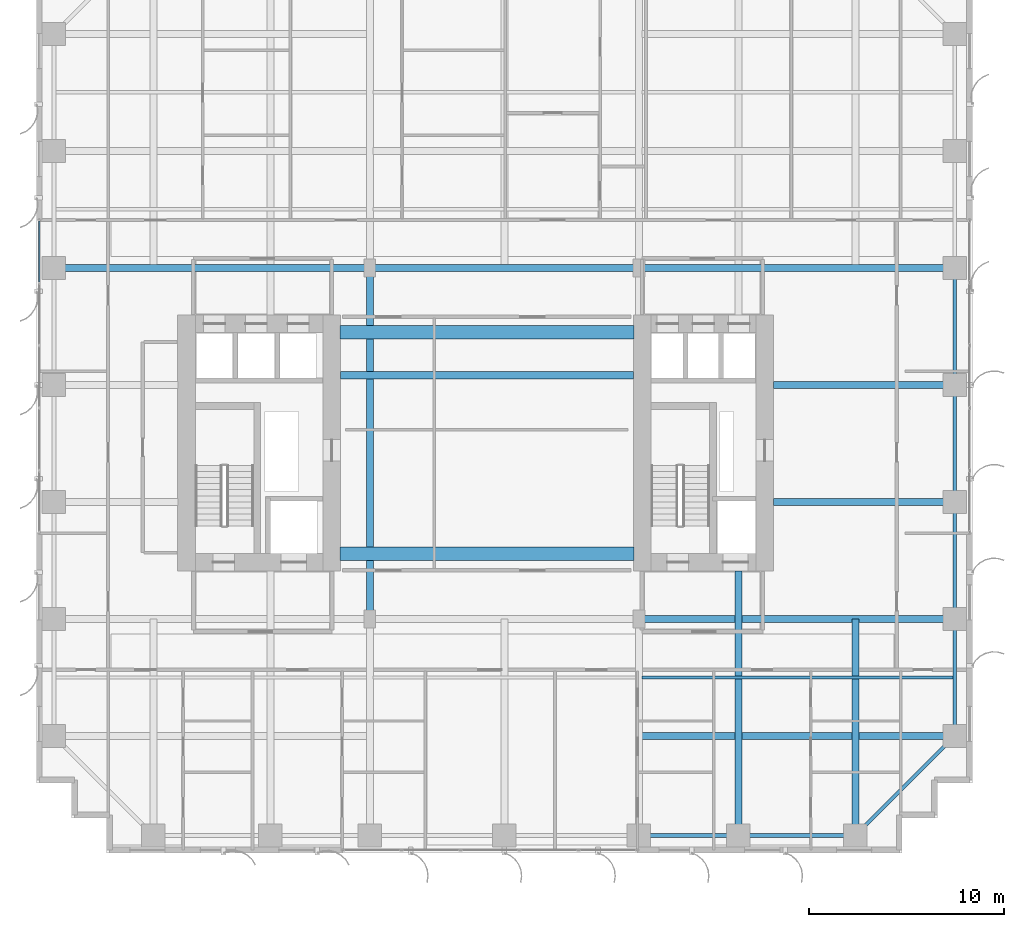
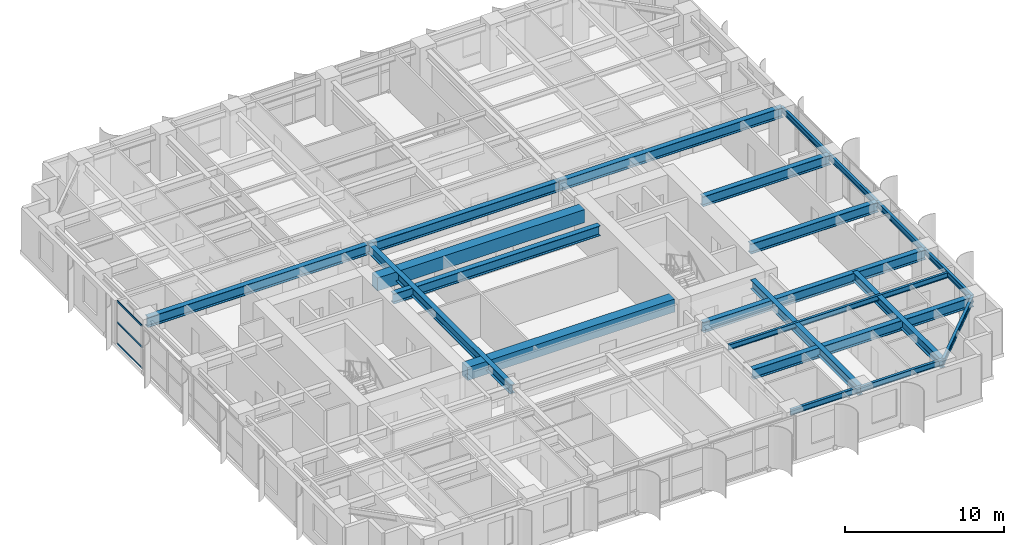
# One storey, part 6 of 23: 21 beams, 3 members, 1 element without a shape of its own.
"""IFC4 building model written with IfcOpenShell, lengths in metres."""

from ifc_helpers import new_model, si_unit, direction, frame, origin, origin_2d, place, context, subcontext, project, spatial, rectangle, hollow_rectangle, i_section, extrude, source, transform, mapped, material, layer, layer_set, material_profile, profile_set, type_object, element, aggregate, save


model = new_model("IFC4")

# Units and contexts
model_context = context("Model", 3, precision=1e-05, world=origin(), true_north=direction((0.0, 1.0)))
body_context = subcontext(model_context, "Body", "Model", "MODEL_VIEW")
ifc_project = project(units=[si_unit("LENGTHUNIT", "METRE"), si_unit("AREAUNIT", "SQUARE_METRE"), si_unit("VOLUMEUNIT", "CUBIC_METRE"), si_unit("PLANEANGLEUNIT", "RADIAN"), si_unit("MASSUNIT", "GRAM", prefix="KILO")], contexts=[model_context])

# Site, building, storey
site_placement = place(None, origin())
site = spatial("IfcSite", under=ifc_project, at=site_placement, CompositionType="ELEMENT")
building_placement = place(site_placement, origin())
building = spatial("IfcBuilding", under=site, at=building_placement, Name="Khoralis Quay Care Tower", CompositionType="ELEMENT")
storey_placement = place(building_placement, frame((0.0, 0.0, 36.89990234375)))
storey = spatial("IfcBuildingStorey", under=building, at=storey_placement, Name="L09", CompositionType="ELEMENT", Elevation=36.89990234375)

# Beams
ifc_material_1 = material(Name="Concrete C80/95", Category="concrete")
ifc_material_profile_1 = material_profile(ifc_material_1, rectangle(XDim=0.699951171875, YDim=1.0, at=origin_2d()), Name="Concrete C80/95")
ifc_profile_set_1 = profile_set([ifc_material_profile_1], Name="Concrete C80/95")
beam_type_1 = type_object("IfcBeamType", Name="CB-RC700X1000", PredefinedType="LINTEL", material=ifc_profile_set_1)
shared_shape_1 = source(origin(), body_context, "Body", "SweptSolid", [
    extrude(rectangle(XDim=0.699951171875, YDim=1.0, at=origin_2d()), origin(), (0.0, 0.0, 1.0), 15.079833984375),
])
for number, where, z_axis, x_axis, name in (
    (1, (15.570068359375, 15.35009765625, 2.820068359375), (1.0, 0.0, 0.0), (0.0, 1.0, 0.0), "L09 South Core Coupling Lintel"),
    (2, (15.570068359375, 26.699951171875, 2.820068359375), (1.0, 0.0, 0.0), (0.0, 1.0, 0.0), "L09 North Core Coupling Lintel"),
):
    element("IfcBeam", number, at=place(storey_placement, frame(where, z_axis=z_axis, x_axis=x_axis)), inside=storey, type_object=beam_type_1, Name=name, PredefinedType="LINTEL", context=body_context, shape_type="MappedRepresentation", body=[
        mapped(shared_shape_1, transform((0.0, 0.0, 0.0), scale=1.0)),
    ])
ifc_material_2 = material(Name="Steel S355", Category="steel")
ifc_material_profile_2 = material_profile(ifc_material_2, i_section(OverallWidth=0.18994140625, OverallDepth=0.449951171875, WebThickness=0.009521484375, FlangeThickness=0.0146484375, FilletRadius=0.02099609375, at=origin_2d()), Name="Steel S355")
ifc_profile_set_2 = profile_set([ifc_material_profile_2], Name="Steel S355")
beam_type_2 = type_object("IfcBeamType", Name="BM-IPE450", PredefinedType="SPANDREL", material=ifc_profile_set_2)
shared_shape_2 = source(origin(), body_context, "Body", "SweptSolid", [
    extrude(i_section(OverallWidth=0.18994140625, OverallDepth=0.449951171875, WebThickness=0.009521484375, FlangeThickness=0.0146484375, FilletRadius=0.02099609375, at=origin_2d()), origin(), (0.0, 0.0, 1.0), 6.0),
])
for number, where, z_axis, x_axis, name in (
    (3, (36.0, 0.89990234375, 3.09521484375), (1.0, 0.0, 0.0), (0.0, 1.0, 0.0), "BM-TSP-L09-06"),
    (4, (47.10009765625, 6.0, 3.09521484375), (0.0, 1.0, 0.0), (-1.0, 0.0, 0.0), "BM-TSP-L09-19"),
    (5, (47.10009765625, 12.0, 3.09521484375), (0.0, 1.0, 0.0), (-1.0, 0.0, 0.0), "BM-TSP-L09-20"),
    (6, (47.10009765625, 18.0, 3.09521484375), (0.0, 1.0, 0.0), (-1.0, 0.0, 0.0), "BM-TSP-L09-21"),
    (7, (47.10009765625, 24.0, 3.09521484375), (0.0, 1.0, 0.0), (-1.0, 0.0, 0.0), "BM-TSP-L09-22"),
):
    element("IfcBeam", number, at=place(storey_placement, frame(where, z_axis=z_axis, x_axis=x_axis)), inside=storey, type_object=beam_type_2, Name=name, PredefinedType="SPANDREL", context=body_context, shape_type="MappedRepresentation", body=[
        mapped(shared_shape_2, transform((0.0, 0.0, 0.0), scale=1.0)),
    ])
shared_shape_3 = source(origin(), body_context, "Body", "SweptSolid", [
    extrude(i_section(OverallWidth=0.18994140625, OverallDepth=0.449951171875, WebThickness=0.009521484375, FlangeThickness=0.0146484375, FilletRadius=0.02099609375, at=origin_2d()), origin(), (0.0, 0.0, 1.0), 5.10009765625),
])
beam_1_placement = place(storey_placement, frame((30.89990234375, 0.89990234375, 3.09521484375), z_axis=(1.0, 0.0, 0.0), x_axis=(0.0, 1.0, 0.0)))
element("IfcBeam", 8, at=beam_1_placement, inside=storey, type_object=beam_type_2, Name="BM-TSP-L09-05", PredefinedType="SPANDREL", context=body_context, shape_type="MappedRepresentation", body=[
    mapped(shared_shape_3, transform((0.0, 0.0, 0.0), scale=1.0)),
])
shared_shape_4 = source(origin(), body_context, "Body", "SweptSolid", [
    extrude(i_section(OverallWidth=0.18994140625, OverallDepth=0.449951171875, WebThickness=0.009521484375, FlangeThickness=0.0146484375, FilletRadius=0.02099609375, at=origin_2d()), origin(), (0.0, 0.0, 1.0), 7.212646484375),
])
beam_2_placement = place(storey_placement, frame((42.0, 0.89990234375, 3.09521484375), z_axis=(0.707106781187, 0.707106781187, 0.0), x_axis=(-0.707106781187, 0.707106781187, 0.0)))
element("IfcBeam", 9, at=beam_2_placement, inside=storey, type_object=beam_type_2, Name="BM-TCR-L09-26", PredefinedType="SPANDREL", context=body_context, shape_type="MappedRepresentation", body=[
    mapped(shared_shape_4, transform((0.0, 0.0, 0.0), scale=1.0)),
])
ifc_material_profile_3 = material_profile(ifc_material_2, i_section(OverallWidth=0.381103515625, OverallDepth=0.77294921875, WebThickness=0.0166015625, FlangeThickness=0.027587890625, FilletRadius=0.02197265625, at=origin_2d()), Name="Steel S355")
ifc_profile_set_3 = profile_set([ifc_material_profile_3], Name="Steel S355")
beam_type_3 = type_object("IfcBeamType", Name="BM-W760X257", PredefinedType="BEAM", material=ifc_profile_set_3)
shared_shape_5 = source(origin(), body_context, "Body", "SweptSolid", [
    extrude(i_section(OverallWidth=0.381103515625, OverallDepth=0.77294921875, WebThickness=0.0166015625, FlangeThickness=0.027587890625, FilletRadius=0.02197265625, at=origin_2d()), origin(), (0.0, 0.0, 1.0), 16.03466796875),
])
beam_3_placement = place(storey_placement, frame((31.0654296875, 6.0, 2.93359375), z_axis=(1.0, 0.0, 0.0), x_axis=(0.0, 1.0, 0.0)))
element("IfcBeam", 10, at=beam_3_placement, inside=storey, type_object=beam_type_3, Name="BM-TGXE-L09-60", PredefinedType="BEAM", context=body_context, shape_type="MappedRepresentation", body=[
    mapped(shared_shape_5, transform((0.0, 0.0, 0.0), scale=1.0)),
])
shared_shape_6 = source(origin(), body_context, "Body", "SweptSolid", [
    extrude(i_section(OverallWidth=0.381103515625, OverallDepth=0.77294921875, WebThickness=0.0166015625, FlangeThickness=0.027587890625, FilletRadius=0.02197265625, at=origin_2d()), origin(), (0.0, 0.0, 1.0), 16.2001953125),
])
for number, where, z_axis, x_axis, name in (
    (11, (0.89990234375, 30.0, 2.93359375), (1.0, 0.0, 0.0), (0.0, 1.0, 0.0), "BM-TGXW-L09-300"),
    (12, (30.89990234375, 12.0, 2.93359375), (1.0, 0.0, 0.0), (0.0, 1.0, 0.0), "BM-TGXE-L09-120"),
    (13, (30.89990234375, 30.0, 2.93359375), (1.0, 0.0, 0.0), (0.0, 1.0, 0.0), "BM-TGXE-L09-300"),
):
    element("IfcBeam", number, at=place(storey_placement, frame(where, z_axis=z_axis, x_axis=x_axis)), inside=storey, type_object=beam_type_3, Name=name, PredefinedType="BEAM", context=body_context, shape_type="MappedRepresentation", body=[
        mapped(shared_shape_6, transform((0.0, 0.0, 0.0), scale=1.0)),
    ])
shared_shape_7 = source(origin(), body_context, "Body", "SweptSolid", [
    extrude(i_section(OverallWidth=0.381103515625, OverallDepth=0.77294921875, WebThickness=0.0166015625, FlangeThickness=0.027587890625, FilletRadius=0.02197265625, at=origin_2d()), origin(), (0.0, 0.0, 1.0), 9.302001953125),
])
for number, where, z_axis, x_axis, name in (
    (14, (37.798095703125, 18.0, 2.93359375), (1.0, 0.0, 0.0), (0.0, 1.0, 0.0), "BM-TGXE-L09-180"),
    (15, (37.798095703125, 24.0, 2.93359375), (1.0, 0.0, 0.0), (0.0, 1.0, 0.0), "BM-TGXE-L09-240"),
):
    element("IfcBeam", number, at=place(storey_placement, frame(where, z_axis=z_axis, x_axis=x_axis)), inside=storey, type_object=beam_type_3, Name=name, PredefinedType="BEAM", context=body_context, shape_type="MappedRepresentation", body=[
        mapped(shared_shape_7, transform((0.0, 0.0, 0.0), scale=1.0)),
    ])
shared_shape_8 = source(origin(), body_context, "Body", "SweptSolid", [
    extrude(i_section(OverallWidth=0.381103515625, OverallDepth=0.77294921875, WebThickness=0.0166015625, FlangeThickness=0.027587890625, FilletRadius=0.02197265625, at=origin_2d()), origin(), (0.0, 0.0, 1.0), 13.7998046875),
])
beam_4_placement = place(storey_placement, frame((17.10009765625, 30.0, 2.93359375), z_axis=(1.0, 0.0, 0.0), x_axis=(0.0, 1.0, 0.0)))
element("IfcBeam", 16, at=beam_4_placement, inside=storey, type_object=beam_type_3, Name="BM-TGCC-L09-300", PredefinedType="BEAM", context=body_context, shape_type="MappedRepresentation", body=[
    mapped(shared_shape_8, transform((0.0, 0.0, 0.0), scale=1.0)),
])
shared_shape_9 = source(origin(), body_context, "Body", "SweptSolid", [
    extrude(i_section(OverallWidth=0.381103515625, OverallDepth=0.77294921875, WebThickness=0.0166015625, FlangeThickness=0.027587890625, FilletRadius=0.02197265625, at=origin_2d()), origin(), (0.0, 0.0, 1.0), 15.024169921875),
])
beam_5_placement = place(storey_placement, frame((15.597900390625, 24.5, 2.93359375), z_axis=(1.0, 0.0, 0.0), x_axis=(0.0, 1.0, 0.0)))
element("IfcBeam", 17, at=beam_5_placement, inside=storey, type_object=beam_type_3, Name="BM-TGCC-L09-245", PredefinedType="BEAM", context=body_context, shape_type="MappedRepresentation", body=[
    mapped(shared_shape_9, transform((0.0, 0.0, 0.0), scale=1.0)),
])
ifc_material_profile_4 = material_profile(ifc_material_2, i_section(OverallWidth=0.35498046875, OverallDepth=0.695068359375, WebThickness=0.015380859375, FlangeThickness=0.02490234375, FilletRadius=0.02001953125, at=origin_2d()), Name="Steel S355")
ifc_profile_set_4 = profile_set([ifc_material_profile_4], Name="Steel S355")
beam_type_4 = type_object("IfcBeamType", Name="BM-W690X217", PredefinedType="BEAM", material=ifc_profile_set_4)
shared_shape_10 = source(origin(), body_context, "Body", "SweptSolid", [
    extrude(i_section(OverallWidth=0.35498046875, OverallDepth=0.695068359375, WebThickness=0.015380859375, FlangeThickness=0.02490234375, FilletRadius=0.02001953125, at=origin_2d()), origin(), (0.0, 0.0, 1.0), 11.10009765625),
])
beam_6_placement = place(storey_placement, frame((42.0, 0.89990234375, 2.97265625), z_axis=(0.0, 1.0, 0.0), x_axis=(-1.0, 0.0, 0.0)))
element("IfcBeam", 18, at=beam_6_placement, inside=storey, type_object=beam_type_4, Name="BM-TGYS-L09-420", PredefinedType="BEAM", context=body_context, shape_type="MappedRepresentation", body=[
    mapped(shared_shape_10, transform((0.0, 0.0, 0.0), scale=1.0)),
])
shared_shape_11 = source(origin(), body_context, "Body", "SweptSolid", [
    extrude(i_section(OverallWidth=0.35498046875, OverallDepth=0.695068359375, WebThickness=0.015380859375, FlangeThickness=0.02490234375, FilletRadius=0.02001953125, at=origin_2d()), origin(), (0.0, 0.0, 1.0), 13.552001953125),
])
beam_7_placement = place(storey_placement, frame((36.0, 0.89990234375, 2.97265625), z_axis=(0.0, 1.0, 0.0), x_axis=(-1.0, 0.0, 0.0)))
element("IfcBeam", 19, at=beam_7_placement, inside=storey, type_object=beam_type_4, Name="BM-TGYS-L09-360", PredefinedType="BEAM", context=body_context, shape_type="MappedRepresentation", body=[
    mapped(shared_shape_11, transform((0.0, 0.0, 0.0), scale=1.0)),
])
shared_shape_12 = source(origin(), body_context, "Body", "SweptSolid", [
    extrude(i_section(OverallWidth=0.35498046875, OverallDepth=0.695068359375, WebThickness=0.015380859375, FlangeThickness=0.02490234375, FilletRadius=0.02001953125, at=origin_2d()), origin(), (0.0, 0.0, 1.0), 18.0),
])
beam_8_placement = place(storey_placement, frame((17.10009765625, 12.0, 2.97265625), z_axis=(0.0, 1.0, 0.0), x_axis=(-1.0, 0.0, 0.0)))
element("IfcBeam", 20, at=beam_8_placement, inside=storey, type_object=beam_type_4, Name="BM-TGSW-L09", PredefinedType="BEAM", context=body_context, shape_type="MappedRepresentation", body=[
    mapped(shared_shape_12, transform((0.0, 0.0, 0.0), scale=1.0)),
])
ifc_material_profile_5 = material_profile(ifc_material_2, i_section(OverallWidth=0.177978515625, OverallDepth=0.406982421875, WebThickness=0.0078125, FlangeThickness=0.0126953125, FilletRadius=0.012939453125, at=origin_2d()), Name="Steel S355")
ifc_profile_set_5 = profile_set([ifc_material_profile_5], Name="Steel S355")
beam_type_5 = type_object("IfcBeamType", Name="BM-W410X60", PredefinedType="JOIST", material=ifc_profile_set_5)
shared_shape_13 = source(origin(), body_context, "Body", "SweptSolid", [
    extrude(i_section(OverallWidth=0.177978515625, OverallDepth=0.406982421875, WebThickness=0.0078125, FlangeThickness=0.0126953125, FilletRadius=0.012939453125, at=origin_2d()), origin(), (0.0, 0.0, 1.0), 15.95361328125),
])
beam_9_placement = place(storey_placement, frame((31.0654296875, 9.0, 3.11669921875), z_axis=(1.0, 0.0, 0.0), x_axis=(0.0, 1.0, 0.0)))
element("IfcBeam", 21, at=beam_9_placement, inside=storey, type_object=beam_type_5, Name="BM-TJS-L09-30", PredefinedType="JOIST", context=body_context, shape_type="MappedRepresentation", body=[
    mapped(shared_shape_13, transform((0.0, 0.0, 0.0), scale=1.0)),
])

# Curtain wall, members
ifc_material_3 = material(Name="Pale anodised aluminium", Category="aluminium")
ifc_layer = layer(ifc_material_3, 0.179931640625)
ifc_layer_set = layer_set([ifc_layer], Name="Pale anodised aluminium")
curtain_wall_type = type_object("IfcCurtainWallType", Name="CW-SYS-Z1", PredefinedType="NOTDEFINED", material=ifc_layer_set)
curtain_wall_placement = place(storey_placement, origin())
curtain_wall = element("IfcCurtainWall", 22, at=curtain_wall_placement, inside=storey, type_object=curtain_wall_type, Name="L09 Unitised Curtain Wall CW-L09-P1-E15", PredefinedType="NOTDEFINED")
ifc_material_profile_6 = material_profile(ifc_material_3, hollow_rectangle(XDim=0.06005859375, YDim=0.139892578125, WallThickness=0.00390625, at=origin_2d()), Name="Pale anodised aluminium")
ifc_profile_set_6 = profile_set([ifc_material_profile_6], Name="Pale anodised aluminium")
member_type = type_object("IfcMemberType", Name="CW-TRN-140", PredefinedType="USERDEFINED", material=ifc_profile_set_6)
shared_shape_14 = source(origin(), body_context, "Body", "SweptSolid", [
    extrude(hollow_rectangle(XDim=0.06005859375, YDim=0.139892578125, WallThickness=0.00390625, at=origin_2d()), origin(), (0.0, 0.0, 1.0), 3.121826171875),
])
member_1_placement = place(storey_placement, frame((0.14990234375, 32.39990234375, 0.030029296875), z_axis=(0.0, -1.0, 0.0), x_axis=(1.0, 0.0, 0.0)))
member_1 = element("IfcMember", 23, at=member_1_placement, type_object=member_type, Name="CW1 transom 1.1", ObjectType="TRANSOM", PredefinedType="USERDEFINED", context=body_context, shape_type="MappedRepresentation", body=[
    mapped(shared_shape_14, transform((0.0, 0.0, 0.0), scale=1.0)),
])
member_2_placement = place(storey_placement, frame((0.14990234375, 32.39990234375, 1.66015625), z_axis=(0.0, -1.0, 0.0), x_axis=(1.0, 0.0, 0.0)))
member_2 = element("IfcMember", 24, at=member_2_placement, type_object=member_type, Name="CW1 transom 1.2", ObjectType="TRANSOM", PredefinedType="USERDEFINED", context=body_context, shape_type="MappedRepresentation", body=[
    mapped(shared_shape_14, transform((0.0, 0.0, 0.0), scale=1.0)),
])
member_3_placement = place(storey_placement, frame((0.14990234375, 32.39990234375, 3.2900390625), z_axis=(0.0, -1.0, 0.0), x_axis=(1.0, 0.0, 0.0)))
member_3 = element("IfcMember", 25, at=member_3_placement, type_object=member_type, Name="CW1 transom 1.3", ObjectType="TRANSOM", PredefinedType="USERDEFINED", context=body_context, shape_type="MappedRepresentation", body=[
    mapped(shared_shape_14, transform((0.0, 0.0, 0.0), scale=1.0)),
])
aggregate(curtain_wall, [member_1, member_2, member_3])

save(model, "model.ifc")
